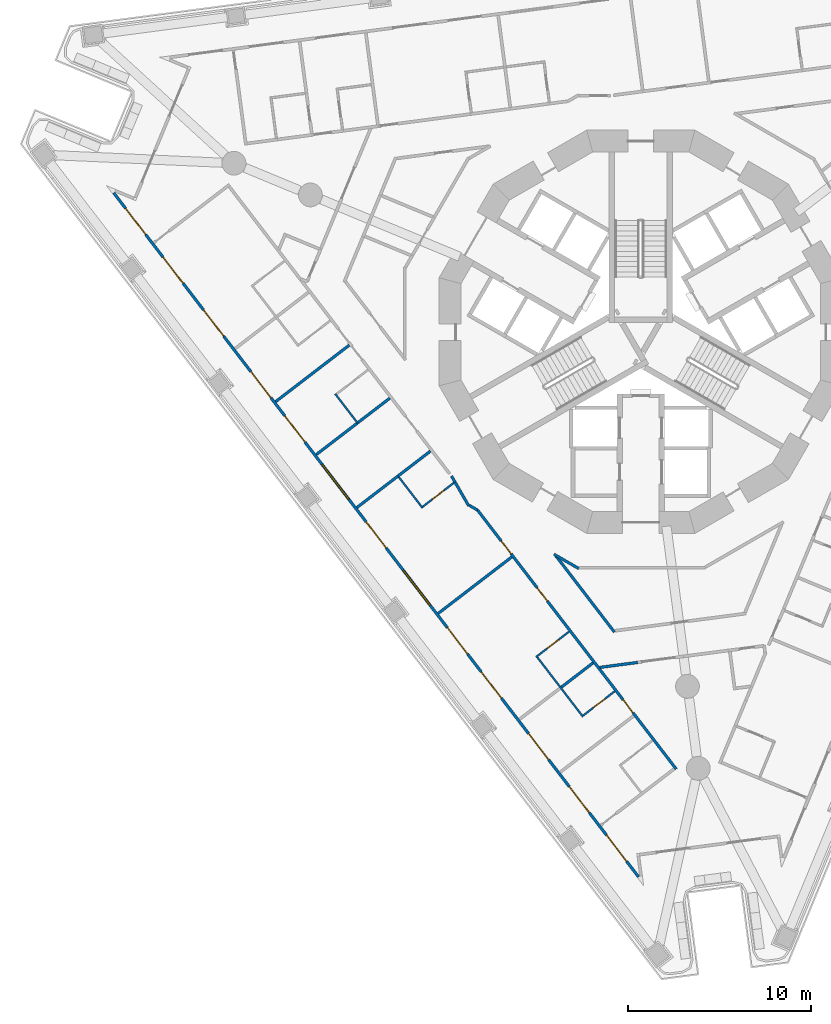
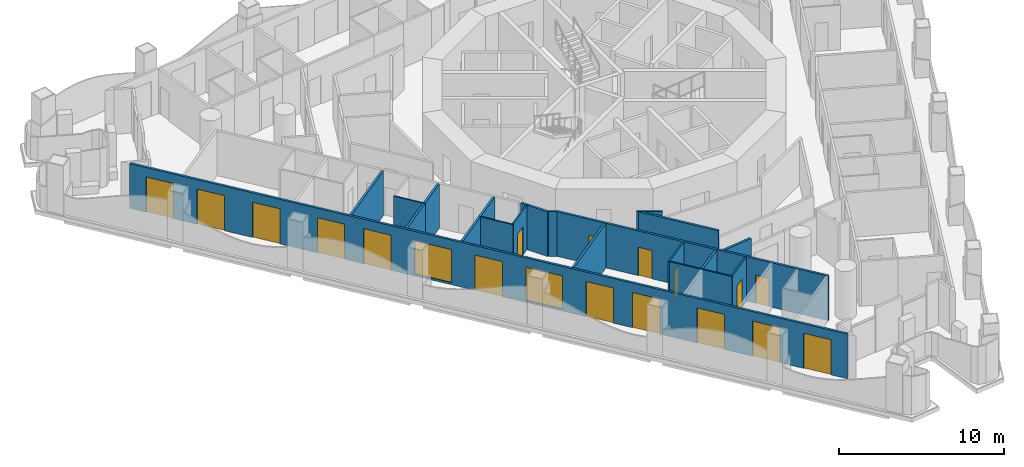
# One storey, part 2 of 19: 21 walls, 17 doors, 2 windows, 19 openings.
"""IFC4 building model written with IfcOpenShell, lengths in metres."""

from ifc_helpers import new_model, si_unit, direction, frame, frame_2d, origin, place, context, subcontext, project, spatial, polyline, rectangle, outline, extrude, material, layer, layer_set, type_object, element, fill, save


model = new_model("IFC4")

# Units and contexts
model_context = context("Model", 3, precision=1e-05, world=origin(), true_north=direction((0.0, 1.0)))
body_context = subcontext(model_context, "Body", "Model", "MODEL_VIEW")
ifc_project = project(units=[si_unit("LENGTHUNIT", "METRE"), si_unit("AREAUNIT", "SQUARE_METRE"), si_unit("VOLUMEUNIT", "CUBIC_METRE"), si_unit("PLANEANGLEUNIT", "RADIAN"), si_unit("MASSUNIT", "GRAM", prefix="KILO")], contexts=[model_context])

# Site, building, storey
site_placement = place(None, origin())
site = spatial("IfcSite", under=ifc_project, at=site_placement, CompositionType="ELEMENT")
building_placement = place(site_placement, origin())
building = spatial("IfcBuilding", under=site, at=building_placement, Name="Trine Commons Tower", CompositionType="ELEMENT")
storey_placement = place(building_placement, frame((0.0, 0.0, 61.199951171875)))
storey = spatial("IfcBuildingStorey", under=building, at=storey_placement, Name="L14", CompositionType="ELEMENT", Elevation=61.199951171875)

# Wall, openings, windows, doors
ifc_material_1 = material(Name="Aluminium-framed insulated wall panel", Category="aluminium")
ifc_layer_1 = layer(ifc_material_1, 0.14990234375)
ifc_layer_set_1 = layer_set([ifc_layer_1], Name="Aluminium-framed insulated wall panel")
wall_type_1 = type_object("IfcWallType", Name="Glazed frame wall 150, EI 60", PredefinedType="SOLIDWALL", material=ifc_layer_set_1)
wall_1_placement = place(storey_placement, frame((79.968994140625, 32.624267578125, 0.0), z_axis=(0.0, 0.0, 1.0), x_axis=(-0.608761526367, 0.793353265585, 0.0)))
wall_1 = element("IfcWall", 1, at=wall_1_placement, inside=storey, type_object=wall_type_1, Name="Glazed frame wall F3", PredefinedType="SOLIDWALL", context=body_context, shape_type="SweptSolid", body=[
    extrude(outline(polyline([(0.1494140625, 0.074951171875), (0.1494140625, -0.074951171875), (47.216796875, -0.074951171875), (47.216796875, 0.074951171875), (0.1494140625, 0.074951171875)])), origin(), (0.0, 0.0, 1.0), 3.300048828125),
])
opening_1_placement = place(wall_1_placement, frame((1.2216796875, 0.0, 0.0)))
opening_1 = element("IfcOpeningElement", 2, at=opening_1_placement, cuts=wall_1, Name="Opening BD-2F3-01", PredefinedType="OPENING", context=body_context, shape_type="SweptSolid", body=[
    extrude(rectangle(XDim=1.800048828125, YDim=2.60009765625, at=frame_2d((0.89990234375, 1.300048828125))), frame((0.0, 0.0849609375, 0.0), z_axis=(0.0, -1.0, 0.0), x_axis=(1.0, 0.0, 0.0)), (0.0, 0.0, 1.0), 0.169921875),
])
opening_2_placement = place(wall_1_placement, frame((4.5654296875, 0.0, 0.0)))
opening_2 = element("IfcOpeningElement", 3, at=opening_2_placement, cuts=wall_1, Name="Opening BD-2F3-02", PredefinedType="OPENING", context=body_context, shape_type="SweptSolid", body=[
    extrude(rectangle(XDim=1.800048828125, YDim=2.60009765625, at=frame_2d((0.89990234375, 1.300048828125))), frame((0.0, 0.0849609375, 0.0), z_axis=(0.0, -1.0, 0.0), x_axis=(1.0, 0.0, 0.0)), (0.0, 0.0, 1.0), 0.169921875),
])
opening_3_placement = place(wall_1_placement, frame((8.208984375, 0.0, 0.0)))
opening_3 = element("IfcOpeningElement", 4, at=opening_3_placement, cuts=wall_1, Name="Opening BD-2F3-03", PredefinedType="OPENING", context=body_context, shape_type="SweptSolid", body=[
    extrude(rectangle(XDim=1.800048828125, YDim=2.60009765625, at=frame_2d((0.89990234375, 1.300048828125))), frame((0.0, 0.0849609375, 0.0), z_axis=(0.0, -1.0, 0.0), x_axis=(1.0, 0.0, 0.0)), (0.0, 0.0, 1.0), 0.169921875),
])
opening_4_placement = place(wall_1_placement, frame((12.45263671875, 0.0, 0.0)))
opening_4 = element("IfcOpeningElement", 5, at=opening_4_placement, cuts=wall_1, Name="Opening BD-2F3-04", PredefinedType="OPENING", context=body_context, shape_type="SweptSolid", body=[
    extrude(rectangle(XDim=1.800048828125, YDim=2.60009765625, at=frame_2d((0.89990234375, 1.300048828125))), frame((0.0, 0.0849609375, 0.0), z_axis=(0.0, -1.0, 0.0), x_axis=(1.0, 0.0, 0.0)), (0.0, 0.0, 1.0), 0.169921875),
])
opening_5_placement = place(wall_1_placement, frame((15.49609375, 0.0, 0.0)))
opening_5 = element("IfcOpeningElement", 6, at=opening_5_placement, cuts=wall_1, Name="Opening BD-2F3-05", PredefinedType="OPENING", context=body_context, shape_type="SweptSolid", body=[
    extrude(rectangle(XDim=1.800048828125, YDim=2.60009765625, at=frame_2d((0.89990234375, 1.300048828125))), frame((0.0, 0.0849609375, 0.0), z_axis=(0.0, -1.0, 0.0), x_axis=(1.0, 0.0, 0.0)), (0.0, 0.0, 1.0), 0.169921875),
])
opening_6_placement = place(wall_1_placement, frame((18.83984375, 0.0, 0.14990234375)))
opening_6 = element("IfcOpeningElement", 7, at=opening_6_placement, cuts=wall_1, Name="Opening W-2F3-06", PredefinedType="OPENING", context=body_context, shape_type="SweptSolid", body=[
    extrude(rectangle(XDim=2.39990234375, YDim=2.449951171875, at=frame_2d((1.199951171875, 1.22509765625))), frame((0.0, 0.0849609375, 0.0), z_axis=(0.0, -1.0, 0.0), x_axis=(1.0, 0.0, 0.0)), (0.0, 0.0, 1.0), 0.169921875),
])
opening_7_placement = place(wall_1_placement, frame((22.783447265625, 0.0, 0.0)))
opening_7 = element("IfcOpeningElement", 8, at=opening_7_placement, cuts=wall_1, Name="Opening BD-2F3-07", PredefinedType="OPENING", context=body_context, shape_type="SweptSolid", body=[
    extrude(rectangle(XDim=1.800048828125, YDim=2.60009765625, at=frame_2d((0.89990234375, 1.300048828125))), frame((0.0, 0.0849609375, 0.0), z_axis=(0.0, -1.0, 0.0), x_axis=(1.0, 0.0, 0.0)), (0.0, 0.0, 1.0), 0.169921875),
])
opening_8_placement = place(wall_1_placement, frame((26.126953125, 0.0, 0.14990234375)))
opening_8 = element("IfcOpeningElement", 9, at=opening_8_placement, cuts=wall_1, Name="Opening W-2F3-08", PredefinedType="OPENING", context=body_context, shape_type="SweptSolid", body=[
    extrude(rectangle(XDim=2.39990234375, YDim=2.449951171875, at=frame_2d((1.199951171875, 1.22509765625))), frame((0.0, 0.0849609375, 0.0), z_axis=(0.0, -1.0, 0.0), x_axis=(1.0, 0.0, 0.0)), (0.0, 0.0, 1.0), 0.169921875),
])
opening_9_placement = place(wall_1_placement, frame((30.070556640625, 0.0, 0.0)))
opening_9 = element("IfcOpeningElement", 10, at=opening_9_placement, cuts=wall_1, Name="Opening BD-2F3-09", PredefinedType="OPENING", context=body_context, shape_type="SweptSolid", body=[
    extrude(rectangle(XDim=1.800048828125, YDim=2.60009765625, at=frame_2d((0.89990234375, 1.300048828125))), frame((0.0, 0.0849609375, 0.0), z_axis=(0.0, -1.0, 0.0), x_axis=(1.0, 0.0, 0.0)), (0.0, 0.0, 1.0), 0.169921875),
])
opening_10_placement = place(wall_1_placement, frame((33.1142578125, 0.0, 0.0)))
opening_10 = element("IfcOpeningElement", 11, at=opening_10_placement, cuts=wall_1, Name="Opening BD-2F3-10", PredefinedType="OPENING", context=body_context, shape_type="SweptSolid", body=[
    extrude(rectangle(XDim=1.800048828125, YDim=2.60009765625, at=frame_2d((0.89990234375, 1.300048828125))), frame((0.0, 0.0849609375, 0.0), z_axis=(0.0, -1.0, 0.0), x_axis=(1.0, 0.0, 0.0)), (0.0, 0.0, 1.0), 0.169921875),
])
opening_11_placement = place(wall_1_placement, frame((37.35791015625, 0.0, 0.0)))
opening_11 = element("IfcOpeningElement", 12, at=opening_11_placement, cuts=wall_1, Name="Opening BD-2F3-11", PredefinedType="OPENING", context=body_context, shape_type="SweptSolid", body=[
    extrude(rectangle(XDim=1.800048828125, YDim=2.60009765625, at=frame_2d((0.89990234375, 1.300048828125))), frame((0.0, 0.0849609375, 0.0), z_axis=(0.0, -1.0, 0.0), x_axis=(1.0, 0.0, 0.0)), (0.0, 0.0, 1.0), 0.169921875),
])
opening_12_placement = place(wall_1_placement, frame((41.00146484375, 0.0, 0.0)))
opening_12 = element("IfcOpeningElement", 13, at=opening_12_placement, cuts=wall_1, Name="Opening BD-2F3-12", PredefinedType="OPENING", context=body_context, shape_type="SweptSolid", body=[
    extrude(rectangle(XDim=1.800048828125, YDim=2.60009765625, at=frame_2d((0.89990234375, 1.300048828125))), frame((0.0, 0.0849609375, 0.0), z_axis=(0.0, -1.0, 0.0), x_axis=(1.0, 0.0, 0.0)), (0.0, 0.0, 1.0), 0.169921875),
])
opening_13_placement = place(wall_1_placement, frame((44.344970703125, 0.0, 0.0)))
opening_13 = element("IfcOpeningElement", 14, at=opening_13_placement, cuts=wall_1, Name="Opening BD-2F3-13", PredefinedType="OPENING", context=body_context, shape_type="SweptSolid", body=[
    extrude(rectangle(XDim=1.800048828125, YDim=2.60009765625, at=frame_2d((0.89990234375, 1.300048828125))), frame((0.0, 0.0849609375, 0.0), z_axis=(0.0, -1.0, 0.0), x_axis=(1.0, 0.0, 0.0)), (0.0, 0.0, 1.0), 0.169921875),
])
ifc_material_2 = material(Name="Anodised aluminium frame with double glazing", Category="aluminium")
window_type = type_object("IfcWindowType", Name="Fixed window 2400x2450", PartitioningType="SINGLE_PANEL", PredefinedType="WINDOW", material=ifc_material_2)
window_1_placement = place(opening_6_placement, origin())
window_1 = element("IfcWindow", 15, at=window_1_placement, inside=storey, type_object=window_type, Name="Window F3 6", OverallHeight=2.449951171875, OverallWidth=2.39990234375, PartitioningType="SINGLE_PANEL", PredefinedType="WINDOW", context=body_context, shape_type="SweptSolid", body=[
    extrude(rectangle(XDim=2.39990234375, YDim=2.449951171875, at=frame_2d((1.199951171875, 1.22509765625))), frame((0.0, 0.030029296875, 0.0), z_axis=(0.0, -1.0, 0.0), x_axis=(1.0, 0.0, 0.0)), (0.0, 0.0, 1.0), 0.06005859375),
])
fill(opening_6, window_1)
window_2_placement = place(opening_8_placement, origin())
window_2 = element("IfcWindow", 16, at=window_2_placement, inside=storey, type_object=window_type, Name="Window F3 8", OverallHeight=2.449951171875, OverallWidth=2.39990234375, PartitioningType="SINGLE_PANEL", PredefinedType="WINDOW", context=body_context, shape_type="SweptSolid", body=[
    extrude(rectangle(XDim=2.39990234375, YDim=2.449951171875, at=frame_2d((1.199951171875, 1.22509765625))), frame((0.0, 0.030029296875, 0.0), z_axis=(0.0, -1.0, 0.0), x_axis=(1.0, 0.0, 0.0)), (0.0, 0.0, 1.0), 0.06005859375),
])
fill(opening_8, window_2)
door_type_1 = type_object("IfcDoorType", Name="Sliding loggia door 1800x2600", OperationType="SLIDING_TO_LEFT", PredefinedType="DOOR", material=ifc_material_2)
door_1_placement = place(opening_1_placement, origin())
door_1 = element("IfcDoor", 17, at=door_1_placement, inside=storey, type_object=door_type_1, Name="Loggia door F3 1", OperationType="SLIDING_TO_LEFT", OverallHeight=2.60009765625, OverallWidth=1.800048828125, PredefinedType="DOOR", context=body_context, shape_type="SweptSolid", body=[
    extrude(rectangle(XDim=1.800048828125, YDim=2.60009765625, at=frame_2d((0.89990234375, 1.300048828125))), frame((0.0, 0.02490234375, 0.0), z_axis=(0.0, -1.0, 0.0), x_axis=(1.0, 0.0, 0.0)), (0.0, 0.0, 1.0), 0.050048828125),
])
fill(opening_1, door_1)
door_2_placement = place(opening_2_placement, origin())
door_2 = element("IfcDoor", 18, at=door_2_placement, inside=storey, type_object=door_type_1, Name="Loggia door F3 2", OperationType="SLIDING_TO_LEFT", OverallHeight=2.60009765625, OverallWidth=1.800048828125, PredefinedType="DOOR", context=body_context, shape_type="SweptSolid", body=[
    extrude(rectangle(XDim=1.800048828125, YDim=2.60009765625, at=frame_2d((0.89990234375, 1.300048828125))), frame((0.0, 0.02490234375, 0.0), z_axis=(0.0, -1.0, 0.0), x_axis=(1.0, 0.0, 0.0)), (0.0, 0.0, 1.0), 0.050048828125),
])
fill(opening_2, door_2)
door_3_placement = place(opening_3_placement, origin())
door_3 = element("IfcDoor", 19, at=door_3_placement, inside=storey, type_object=door_type_1, Name="Loggia door F3 3", OperationType="SLIDING_TO_LEFT", OverallHeight=2.60009765625, OverallWidth=1.800048828125, PredefinedType="DOOR", context=body_context, shape_type="SweptSolid", body=[
    extrude(rectangle(XDim=1.800048828125, YDim=2.60009765625, at=frame_2d((0.89990234375, 1.300048828125))), frame((0.0, 0.02490234375, 0.0), z_axis=(0.0, -1.0, 0.0), x_axis=(1.0, 0.0, 0.0)), (0.0, 0.0, 1.0), 0.050048828125),
])
fill(opening_3, door_3)
door_4_placement = place(opening_4_placement, origin())
door_4 = element("IfcDoor", 20, at=door_4_placement, inside=storey, type_object=door_type_1, Name="Loggia door F3 4", OperationType="SLIDING_TO_LEFT", OverallHeight=2.60009765625, OverallWidth=1.800048828125, PredefinedType="DOOR", context=body_context, shape_type="SweptSolid", body=[
    extrude(rectangle(XDim=1.800048828125, YDim=2.60009765625, at=frame_2d((0.89990234375, 1.300048828125))), frame((0.0, 0.02490234375, 0.0), z_axis=(0.0, -1.0, 0.0), x_axis=(1.0, 0.0, 0.0)), (0.0, 0.0, 1.0), 0.050048828125),
])
fill(opening_4, door_4)
door_5_placement = place(opening_5_placement, origin())
door_5 = element("IfcDoor", 21, at=door_5_placement, inside=storey, type_object=door_type_1, Name="Loggia door F3 5", OperationType="SLIDING_TO_LEFT", OverallHeight=2.60009765625, OverallWidth=1.800048828125, PredefinedType="DOOR", context=body_context, shape_type="SweptSolid", body=[
    extrude(rectangle(XDim=1.800048828125, YDim=2.60009765625, at=frame_2d((0.89990234375, 1.300048828125))), frame((0.0, 0.02490234375, 0.0), z_axis=(0.0, -1.0, 0.0), x_axis=(1.0, 0.0, 0.0)), (0.0, 0.0, 1.0), 0.050048828125),
])
fill(opening_5, door_5)
door_6_placement = place(opening_7_placement, origin())
door_6 = element("IfcDoor", 22, at=door_6_placement, inside=storey, type_object=door_type_1, Name="Loggia door F3 7", OperationType="SLIDING_TO_LEFT", OverallHeight=2.60009765625, OverallWidth=1.800048828125, PredefinedType="DOOR", context=body_context, shape_type="SweptSolid", body=[
    extrude(rectangle(XDim=1.800048828125, YDim=2.60009765625, at=frame_2d((0.89990234375, 1.300048828125))), frame((0.0, 0.02490234375, 0.0), z_axis=(0.0, -1.0, 0.0), x_axis=(1.0, 0.0, 0.0)), (0.0, 0.0, 1.0), 0.050048828125),
])
fill(opening_7, door_6)
door_7_placement = place(opening_9_placement, origin())
door_7 = element("IfcDoor", 23, at=door_7_placement, inside=storey, type_object=door_type_1, Name="Loggia door F3 9", OperationType="SLIDING_TO_LEFT", OverallHeight=2.60009765625, OverallWidth=1.800048828125, PredefinedType="DOOR", context=body_context, shape_type="SweptSolid", body=[
    extrude(rectangle(XDim=1.800048828125, YDim=2.60009765625, at=frame_2d((0.89990234375, 1.300048828125))), frame((0.0, 0.02490234375, 0.0), z_axis=(0.0, -1.0, 0.0), x_axis=(1.0, 0.0, 0.0)), (0.0, 0.0, 1.0), 0.050048828125),
])
fill(opening_9, door_7)
door_8_placement = place(opening_10_placement, origin())
door_8 = element("IfcDoor", 24, at=door_8_placement, inside=storey, type_object=door_type_1, Name="Loggia door F3 10", OperationType="SLIDING_TO_LEFT", OverallHeight=2.60009765625, OverallWidth=1.800048828125, PredefinedType="DOOR", context=body_context, shape_type="SweptSolid", body=[
    extrude(rectangle(XDim=1.800048828125, YDim=2.60009765625, at=frame_2d((0.89990234375, 1.300048828125))), frame((0.0, 0.02490234375, 0.0), z_axis=(0.0, -1.0, 0.0), x_axis=(1.0, 0.0, 0.0)), (0.0, 0.0, 1.0), 0.050048828125),
])
fill(opening_10, door_8)
door_9_placement = place(opening_11_placement, origin())
door_9 = element("IfcDoor", 25, at=door_9_placement, inside=storey, type_object=door_type_1, Name="Loggia door F3 11", OperationType="SLIDING_TO_LEFT", OverallHeight=2.60009765625, OverallWidth=1.800048828125, PredefinedType="DOOR", context=body_context, shape_type="SweptSolid", body=[
    extrude(rectangle(XDim=1.800048828125, YDim=2.60009765625, at=frame_2d((0.89990234375, 1.300048828125))), frame((0.0, 0.02490234375, 0.0), z_axis=(0.0, -1.0, 0.0), x_axis=(1.0, 0.0, 0.0)), (0.0, 0.0, 1.0), 0.050048828125),
])
fill(opening_11, door_9)
door_10_placement = place(opening_12_placement, origin())
door_10 = element("IfcDoor", 26, at=door_10_placement, inside=storey, type_object=door_type_1, Name="Loggia door F3 12", OperationType="SLIDING_TO_LEFT", OverallHeight=2.60009765625, OverallWidth=1.800048828125, PredefinedType="DOOR", context=body_context, shape_type="SweptSolid", body=[
    extrude(rectangle(XDim=1.800048828125, YDim=2.60009765625, at=frame_2d((0.89990234375, 1.300048828125))), frame((0.0, 0.02490234375, 0.0), z_axis=(0.0, -1.0, 0.0), x_axis=(1.0, 0.0, 0.0)), (0.0, 0.0, 1.0), 0.050048828125),
])
fill(opening_12, door_10)
door_11_placement = place(opening_13_placement, origin())
door_11 = element("IfcDoor", 27, at=door_11_placement, inside=storey, type_object=door_type_1, Name="Loggia door F3 13", OperationType="SLIDING_TO_LEFT", OverallHeight=2.60009765625, OverallWidth=1.800048828125, PredefinedType="DOOR", context=body_context, shape_type="SweptSolid", body=[
    extrude(rectangle(XDim=1.800048828125, YDim=2.60009765625, at=frame_2d((0.89990234375, 1.300048828125))), frame((0.0, 0.02490234375, 0.0), z_axis=(0.0, -1.0, 0.0), x_axis=(1.0, 0.0, 0.0)), (0.0, 0.0, 1.0), 0.050048828125),
])
fill(opening_13, door_11)

# Walls
ifc_material_3 = material(Name="Gypsum plasterboard on steel stud", Category="steel")
ifc_layer_2 = layer(ifc_material_3, 0.14990234375)
ifc_layer_set_2 = layer_set([ifc_layer_2], Name="Gypsum plasterboard on steel stud")
wall_type_2 = type_object("IfcWallType", Name="Unit and corridor wall 150 mm, EI 60", PredefinedType="PARTITIONING", material=ifc_layer_set_2)
wall_2_placement = place(storey_placement, frame((60.065673828125, 58.686279296875, 0.0), z_axis=(0.0, 0.0, 1.0), x_axis=(0.793444149255, 0.608643066184, 0.0)))
element("IfcWall", 28, at=wall_2_placement, inside=storey, type_object=wall_type_2, Name="Partition 010", PredefinedType="PARTITIONING", context=body_context, shape_type="SweptSolid", body=[
    extrude(rectangle(XDim=5.063720703125, YDim=0.14990234375, at=frame_2d((2.53173828125, 0.0))), origin(), (0.0, 0.0, 1.0), 3.300048828125),
])
wall_3_placement = place(storey_placement, frame((62.28369140625, 55.79541015625, 0.0), z_axis=(0.0, 0.0, 1.0), x_axis=(0.793376845769, 0.608730794849, 0.0)))
element("IfcWall", 29, at=wall_3_placement, inside=storey, type_object=wall_type_2, Name="Partition 021", PredefinedType="PARTITIONING", context=body_context, shape_type="SweptSolid", body=[
    extrude(rectangle(XDim=2.8427734375, YDim=0.14990234375, at=frame_2d((1.42138671875, 0.0))), origin(), (0.0, 0.0, 1.0), 3.300048828125),
])
wall_4_placement = place(storey_placement, frame((64.501708984375, 52.904296875, 0.0), z_axis=(0.0, 0.0, 1.0), x_axis=(0.793399431095, 0.608701357595, 0.0)))
element("IfcWall", 30, at=wall_4_placement, inside=storey, type_object=wall_type_2, Name="Partition 031", PredefinedType="PARTITIONING", context=body_context, shape_type="SweptSolid", body=[
    extrude(rectangle(XDim=2.830078125, YDim=0.14990234375, at=frame_2d((1.4150390625, 0.0))), origin(), (0.0, 0.0, 1.0), 3.300048828125),
])
wall_5_placement = place(storey_placement, frame((64.532958984375, 57.52197265625, 0.0), z_axis=(0.0, 0.0, 1.0), x_axis=(0.793486460679, 0.608587903856, 0.0)))
element("IfcWall", 31, at=wall_5_placement, inside=storey, type_object=wall_type_2, Name="Partition 032", PredefinedType="PARTITIONING", context=body_context, shape_type="SweptSolid", body=[
    extrude(rectangle(XDim=2.228759765625, YDim=0.14990234375, at=frame_2d((1.1142578125, 0.0))), origin(), (0.0, 0.0, 1.0), 3.300048828125),
])
wall_6_placement = place(storey_placement, frame((66.7470703125, 54.626953125, 0.0), z_axis=(0.0, 0.0, 1.0), x_axis=(0.793289688579, 0.608844372557, 0.0)))
element("IfcWall", 32, at=wall_6_placement, inside=storey, type_object=wall_type_2, Name="Partition 041", PredefinedType="PARTITIONING", context=body_context, shape_type="SweptSolid", body=[
    extrude(rectangle(XDim=2.234375, YDim=0.14990234375, at=frame_2d((1.1171875, 0.0))), origin(), (0.0, 0.0, 1.0), 3.300048828125),
])
wall_7_placement = place(storey_placement, frame((68.937744140625, 47.123291015625, 0.0), z_axis=(0.0, 0.0, 1.0), x_axis=(0.793351017656, 0.608764455913, 0.0)))
element("IfcWall", 33, at=wall_7_placement, inside=storey, type_object=wall_type_2, Name="Partition 047", PredefinedType="PARTITIONING", context=body_context, shape_type="SweptSolid", body=[
    extrude(rectangle(XDim=5.064453125, YDim=0.14990234375, at=frame_2d((2.5322265625, 0.0))), origin(), (0.0, 0.0, 1.0), 3.300048828125),
])
wall_8_placement = place(storey_placement, frame((69.664794921875, 54.6279296875, 0.0), z_axis=(0.0, 0.0, 1.0), x_axis=(0.497978014269, -0.86718965475, 0.0)))
element("IfcWall", 34, at=wall_8_placement, inside=storey, type_object=wall_type_2, Name="Partition 048", PredefinedType="PARTITIONING", context=body_context, shape_type="SweptSolid", body=[
    extrude(rectangle(XDim=0.400146484375, YDim=0.14990234375, at=frame_2d((0.2001953125, 0.0))), origin(), (0.0, 0.0, 1.0), 3.300048828125),
])
wall_9_placement = place(storey_placement, frame((69.826904296875, 54.347412109375, 0.0), z_axis=(0.0, 0.0, 1.0), x_axis=(0.499636333304, -0.866235265065, 0.0)))
element("IfcWall", 35, at=wall_9_placement, inside=storey, type_object=wall_type_2, Name="Partition 049", PredefinedType="PARTITIONING", context=body_context, shape_type="SweptSolid", body=[
    extrude(rectangle(XDim=1.554443359375, YDim=0.14990234375, at=frame_2d((0.77734375, 0.0))), origin(), (0.0, 0.0, 1.0), 3.300048828125),
])
wall_10_placement = place(storey_placement, frame((70.631103515625, 53.028564453125, 0.0), z_axis=(0.0, 0.0, 1.0), x_axis=(0.866215944259, -0.499669828899, 0.0)))
element("IfcWall", 36, at=wall_10_placement, inside=storey, type_object=wall_type_2, Name="Partition 052", PredefinedType="PARTITIONING", context=body_context, shape_type="SweptSolid", body=[
    extrude(rectangle(XDim=0.535400390625, YDim=0.14990234375, at=frame_2d((0.267578125, 0.0))), origin(), (0.0, 0.0, 1.0), 3.300048828125),
])

# Wall, openings, doors
wall_11_placement = place(storey_placement, frame((71.087890625, 52.76611328125, 0.0), z_axis=(0.0, 0.0, 1.0), x_axis=(0.608663951432, -0.793428127953, 0.0)))
wall_11 = element("IfcWall", 37, at=wall_11_placement, inside=storey, type_object=wall_type_2, Name="Partition 055", PredefinedType="PARTITIONING", context=body_context, shape_type="SweptSolid", body=[
    extrude(rectangle(XDim=17.8173828125, YDim=0.14990234375, at=frame_2d((8.90869140625, 0.0))), origin(), (0.0, 0.0, 1.0), 3.300048828125),
])
opening_14_placement = place(wall_11_placement, frame((13.048095703125, 0.0, 0.0)))
opening_14 = element("IfcOpeningElement", 38, at=opening_14_placement, cuts=wall_11, Name="Opening D-2B24", PredefinedType="OPENING", context=body_context, shape_type="SweptSolid", body=[
    extrude(rectangle(XDim=0.89990234375, YDim=2.10009765625, at=frame_2d((0.449951171875, 1.050048828125))), frame((0.0, 0.0849609375, 0.0), z_axis=(0.0, -1.0, 0.0), x_axis=(1.0, 0.0, 0.0)), (0.0, 0.0, 1.0), 0.169921875),
])
opening_15_placement = place(wall_11_placement, frame((5.3544921875, 0.0, 0.0)))
opening_15 = element("IfcOpeningElement", 39, at=opening_15_placement, cuts=wall_11, Name="Opening D-2B25", PredefinedType="OPENING", context=body_context, shape_type="SweptSolid", body=[
    extrude(rectangle(XDim=0.89990234375, YDim=2.10009765625, at=frame_2d((0.449951171875, 1.050048828125))), frame((0.0, 0.0849609375, 0.0), z_axis=(0.0, -1.0, 0.0), x_axis=(1.0, 0.0, 0.0)), (0.0, 0.0, 1.0), 0.169921875),
])
opening_16_placement = place(wall_11_placement, frame((2.11767578125, 0.0, 0.0)))
opening_16 = element("IfcOpeningElement", 40, at=opening_16_placement, cuts=wall_11, Name="Opening D-2B26", PredefinedType="OPENING", context=body_context, shape_type="SweptSolid", body=[
    extrude(rectangle(XDim=0.89990234375, YDim=2.10009765625, at=frame_2d((0.449951171875, 1.050048828125))), frame((0.0, 0.0849609375, 0.0), z_axis=(0.0, -1.0, 0.0), x_axis=(1.0, 0.0, 0.0)), (0.0, 0.0, 1.0), 0.169921875),
])
ifc_material_4 = material(Name="Timber fire door set", Category="wood")
door_type_2 = type_object("IfcDoorType", Name="Bedroom door 900 x 2100, FD30S", OperationType="NOTDEFINED", PredefinedType="DOOR", material=ifc_material_4)
door_12_placement = place(opening_14_placement, frame((0.89990234375, 0.0, 0.0), z_axis=(0.0, 0.0, 1.0), x_axis=(-1.0, 0.0, 0.0)))
door_12 = element("IfcDoor", 41, at=door_12_placement, inside=storey, type_object=door_type_2, Name="Door D-2B24", OperationType="SINGLE_SWING_LEFT", OverallHeight=2.10009765625, OverallWidth=0.89990234375, PredefinedType="DOOR", context=body_context, shape_type="SweptSolid", body=[
    extrude(rectangle(XDim=0.89990234375, YDim=2.10009765625, at=frame_2d((0.449951171875, 1.050048828125))), frame((0.0, 0.02490234375, 0.0), z_axis=(0.0, -1.0, 0.0), x_axis=(1.0, 0.0, 0.0)), (0.0, 0.0, 1.0), 0.050048828125),
])
fill(opening_14, door_12)
door_13_placement = place(opening_15_placement, frame((0.89990234375, 0.0, 0.0), z_axis=(0.0, 0.0, 1.0), x_axis=(-1.0, 0.0, 0.0)))
door_13 = element("IfcDoor", 42, at=door_13_placement, inside=storey, type_object=door_type_2, Name="Door D-2B25", OperationType="SINGLE_SWING_RIGHT", OverallHeight=2.10009765625, OverallWidth=0.89990234375, PredefinedType="DOOR", context=body_context, shape_type="SweptSolid", body=[
    extrude(rectangle(XDim=0.89990234375, YDim=2.10009765625, at=frame_2d((0.449951171875, 1.050048828125))), frame((0.0, 0.02490234375, 0.0), z_axis=(0.0, -1.0, 0.0), x_axis=(1.0, 0.0, 0.0)), (0.0, 0.0, 1.0), 0.050048828125),
])
fill(opening_15, door_13)
door_14_placement = place(opening_16_placement, frame((0.89990234375, 0.0, 0.0), z_axis=(0.0, 0.0, 1.0), x_axis=(-1.0, 0.0, 0.0)))
door_14 = element("IfcDoor", 43, at=door_14_placement, inside=storey, type_object=door_type_2, Name="Door D-2B26", OperationType="SINGLE_SWING_RIGHT", OverallHeight=2.10009765625, OverallWidth=0.89990234375, PredefinedType="DOOR", context=body_context, shape_type="SweptSolid", body=[
    extrude(rectangle(XDim=0.89990234375, YDim=2.10009765625, at=frame_2d((0.449951171875, 1.050048828125))), frame((0.0, 0.02490234375, 0.0), z_axis=(0.0, -1.0, 0.0), x_axis=(1.0, 0.0, 0.0)), (0.0, 0.0, 1.0), 0.050048828125),
])
fill(opening_16, door_14)

# Walls
wall_12_placement = place(storey_placement, frame((75.260986328125, 50.35546875, 0.0), z_axis=(0.0, 0.0, 1.0), x_axis=(0.866029224906, -0.499993381564, 0.0)))
element("IfcWall", 44, at=wall_12_placement, inside=storey, type_object=wall_type_2, Name="Partition 065", PredefinedType="PARTITIONING", context=body_context, shape_type="SweptSolid", body=[
    extrude(rectangle(XDim=1.56005859375, YDim=0.14990234375, at=frame_2d((0.780029296875, 0.0))), origin(), (0.0, 0.0, 1.0), 3.300048828125),
])
wall_13_placement = place(storey_placement, frame((75.373779296875, 50.257568359375, 0.0), z_axis=(0.0, 0.0, 1.0), x_axis=(0.608769592338, -0.793347076282, 0.0)))
element("IfcWall", 45, at=wall_13_placement, inside=storey, type_object=wall_type_2, Name="Partition 066", PredefinedType="PARTITIONING", context=body_context, shape_type="SweptSolid", body=[
    extrude(rectangle(XDim=5.22998046875, YDim=0.14990234375, at=frame_2d((2.614990234375, 0.0))), origin(), (0.0, 0.0, 1.0), 3.300048828125),
])
wall_14_placement = place(storey_placement, frame((75.666748046875, 43.100341796875, 0.0), z_axis=(0.0, 0.0, 1.0), x_axis=(0.793253832781, 0.608891087781, 0.0)))
element("IfcWall", 46, at=wall_14_placement, inside=storey, type_object=wall_type_2, Name="Partition 068", PredefinedType="PARTITIONING", context=body_context, shape_type="SweptSolid", body=[
    extrude(rectangle(XDim=2.17431640625, YDim=0.14990234375, at=frame_2d((1.087158203125, 0.0))), origin(), (0.0, 0.0, 1.0), 3.300048828125),
])
wall_15_placement = place(storey_placement, frame((77.75732421875, 44.177734375, 0.0), z_axis=(0.0, 0.0, 1.0), x_axis=(0.99142565409, 0.130672003172, 0.0)))
element("IfcWall", 47, at=wall_15_placement, inside=storey, type_object=wall_type_2, Name="Partition 073", PredefinedType="PARTITIONING", context=body_context, shape_type="SweptSolid", body=[
    extrude(rectangle(XDim=2.090576171875, YDim=0.14990234375, at=frame_2d((1.04541015625, 0.0))), origin(), (0.0, 0.0, 1.0), 3.300048828125),
])
ifc_layer_3 = layer(ifc_material_3, 0.10009765625)
ifc_layer_set_3 = layer_set([ifc_layer_3], Name="Gypsum plasterboard on steel stud")
wall_type_3 = type_object("IfcWallType", Name="Unit partition 100 mm, no rating", PredefinedType="PARTITIONING", material=ifc_layer_set_3)
wall_16_placement = place(storey_placement, frame((63.318603515625, 59.110595703125, 0.0), z_axis=(0.0, 0.0, 1.0), x_axis=(0.608695491843, -0.793403931305, 0.0)))
element("IfcWall", 48, at=wall_16_placement, inside=storey, type_object=wall_type_3, Name="Partition 023", PredefinedType="PARTITIONING", context=body_context, shape_type="SweptSolid", body=[
    extrude(rectangle(XDim=1.999755859375, YDim=0.10009765625, at=frame_2d((1.0, 0.0))), origin(), (0.0, 0.0, 1.0), 3.300048828125),
])
wall_17_placement = place(storey_placement, frame((66.792724609375, 54.5673828125, 0.0), z_axis=(0.0, 0.0, 1.0), x_axis=(0.608971833678, -0.793191846773, 0.0)))
element("IfcWall", 49, at=wall_17_placement, inside=storey, type_object=wall_type_3, Name="Partition 040", PredefinedType="PARTITIONING", context=body_context, shape_type="SweptSolid", body=[
    extrude(rectangle(XDim=2.12451171875, YDim=0.10009765625, at=frame_2d((1.062255859375, 0.0))), origin(), (0.0, 0.0, 1.0), 3.300048828125),
])

# Wall, opening, door
wall_18_placement = place(storey_placement, frame((68.095703125, 52.952392578125, 0.0), z_axis=(0.0, 0.0, 1.0), x_axis=(0.793466847066, 0.608613475538, 0.0)))
wall_18 = element("IfcWall", 50, at=wall_18_placement, inside=storey, type_object=wall_type_3, Name="Partition 045", PredefinedType="PARTITIONING", context=body_context, shape_type="SweptSolid", body=[
    extrude(rectangle(XDim=2.140869140625, YDim=0.10009765625, at=frame_2d((1.0703125, 0.0))), origin(), (0.0, 0.0, 1.0), 3.300048828125),
])
opening_17_placement = place(wall_18_placement, frame((0.67041015625, 0.0, 0.0)))
opening_17 = element("IfcOpeningElement", 51, at=opening_17_placement, cuts=wall_18, Name="Opening D-2B54", PredefinedType="OPENING", context=body_context, shape_type="SweptSolid", body=[
    extrude(rectangle(XDim=0.800048828125, YDim=2.10009765625, at=frame_2d((0.39990234375, 1.050048828125))), frame((0.0, 0.06005859375, 0.0), z_axis=(0.0, -1.0, 0.0), x_axis=(1.0, 0.0, 0.0)), (0.0, 0.0, 1.0), 0.1201171875),
])
ifc_material_5 = material(Name="Painted timber", Category="wood")
door_type_3 = type_object("IfcDoorType", Name="Internal door 800 x 2100, NOT RATED", OperationType="NOTDEFINED", PredefinedType="DOOR", material=ifc_material_5)
door_15_placement = place(opening_17_placement, frame((0.800048828125, 0.0, 0.0), z_axis=(0.0, 0.0, 1.0), x_axis=(-1.0, 0.0, 0.0)))
door_15 = element("IfcDoor", 52, at=door_15_placement, inside=storey, type_object=door_type_3, Name="Door D-2B54", OperationType="SINGLE_SWING_LEFT", OverallHeight=2.10009765625, OverallWidth=0.800048828125, PredefinedType="DOOR", context=body_context, shape_type="SweptSolid", body=[
    extrude(rectangle(XDim=0.800048828125, YDim=2.10009765625, at=frame_2d((0.39990234375, 1.050048828125))), frame((0.0, 0.02490234375, 0.0), z_axis=(0.0, -1.0, 0.0), x_axis=(1.0, 0.0, 0.0)), (0.0, 0.0, 1.0), 0.050048828125),
])
fill(opening_17, door_15)

wall_19_placement = place(storey_placement, frame((74.2783203125, 44.74560546875, 0.0), z_axis=(0.0, 0.0, 1.0), x_axis=(0.793277976561, 0.608859632348, 0.0)))
wall_19 = element("IfcWall", 53, at=wall_19_placement, inside=storey, type_object=wall_type_3, Name="Partition 061", PredefinedType="PARTITIONING", context=body_context, shape_type="SweptSolid", body=[
    extrude(rectangle(XDim=2.2744140625, YDim=0.10009765625, at=frame_2d((1.13720703125, 0.0))), origin(), (0.0, 0.0, 1.0), 3.300048828125),
])
opening_18_placement = place(wall_19_placement, frame((0.76220703125, 0.0, 0.0)))
opening_18 = element("IfcOpeningElement", 54, at=opening_18_placement, cuts=wall_19, Name="Opening D-2B53", PredefinedType="OPENING", context=body_context, shape_type="SweptSolid", body=[
    extrude(rectangle(XDim=0.800048828125, YDim=2.10009765625, at=frame_2d((0.39990234375, 1.050048828125))), frame((0.0, 0.06005859375, 0.0), z_axis=(0.0, -1.0, 0.0), x_axis=(1.0, 0.0, 0.0)), (0.0, 0.0, 1.0), 0.1201171875),
])
door_16_placement = place(opening_18_placement, origin())
door_16 = element("IfcDoor", 55, at=door_16_placement, inside=storey, type_object=door_type_3, Name="Door D-2B53", OperationType="SINGLE_SWING_RIGHT", OverallHeight=2.10009765625, OverallWidth=0.800048828125, PredefinedType="DOOR", context=body_context, shape_type="SweptSolid", body=[
    extrude(rectangle(XDim=0.800048828125, YDim=2.10009765625, at=frame_2d((0.39990234375, 1.050048828125))), frame((0.0, 0.02490234375, 0.0), z_axis=(0.0, -1.0, 0.0), x_axis=(1.0, 0.0, 0.0)), (0.0, 0.0, 1.0), 0.050048828125),
])
fill(opening_18, door_16)

# Wall
wall_20_placement = place(storey_placement, frame((74.348388671875, 44.736328125, 0.0), z_axis=(0.0, 0.0, 1.0), x_axis=(0.608766496324, -0.793349451978, 0.0)))
element("IfcWall", 56, at=wall_20_placement, inside=storey, type_object=wall_type_3, Name="Partition 062", PredefinedType="PARTITIONING", context=body_context, shape_type="SweptSolid", body=[
    extrude(rectangle(XDim=4.100341796875, YDim=0.10009765625, at=frame_2d((2.05029296875, 0.0))), origin(), (0.0, 0.0, 1.0), 3.300048828125),
])

# Wall, opening, door
wall_21_placement = place(storey_placement, frame((76.853759765625, 41.553466796875, 0.0), z_axis=(0.0, 0.0, 1.0), x_axis=(0.793308064866, 0.608820428549, 0.0)))
wall_21 = element("IfcWall", 57, at=wall_21_placement, inside=storey, type_object=wall_type_3, Name="Partition 072", PredefinedType="PARTITIONING", context=body_context, shape_type="SweptSolid", body=[
    extrude(rectangle(XDim=2.17431640625, YDim=0.10009765625, at=frame_2d((1.087158203125, 0.0))), origin(), (0.0, 0.0, 1.0), 3.300048828125),
])
opening_19_placement = place(wall_21_placement, frame((0.687255859375, 0.0, 0.0)))
opening_19 = element("IfcOpeningElement", 58, at=opening_19_placement, cuts=wall_21, Name="Opening D-2B52", PredefinedType="OPENING", context=body_context, shape_type="SweptSolid", body=[
    extrude(rectangle(XDim=0.800048828125, YDim=2.10009765625, at=frame_2d((0.39990234375, 1.050048828125))), frame((0.0, 0.06005859375, 0.0), z_axis=(0.0, -1.0, 0.0), x_axis=(1.0, 0.0, 0.0)), (0.0, 0.0, 1.0), 0.1201171875),
])
door_17_placement = place(opening_19_placement, frame((0.800048828125, 0.0, 0.0), z_axis=(0.0, 0.0, 1.0), x_axis=(-1.0, 0.0, 0.0)))
door_17 = element("IfcDoor", 59, at=door_17_placement, inside=storey, type_object=door_type_3, Name="Door D-2B52", OperationType="SINGLE_SWING_LEFT", OverallHeight=2.10009765625, OverallWidth=0.800048828125, PredefinedType="DOOR", context=body_context, shape_type="SweptSolid", body=[
    extrude(rectangle(XDim=0.800048828125, YDim=2.10009765625, at=frame_2d((0.39990234375, 1.050048828125))), frame((0.0, 0.02490234375, 0.0), z_axis=(0.0, -1.0, 0.0), x_axis=(1.0, 0.0, 0.0)), (0.0, 0.0, 1.0), 0.050048828125),
])
fill(opening_19, door_17)

save(model, "model.ifc")
